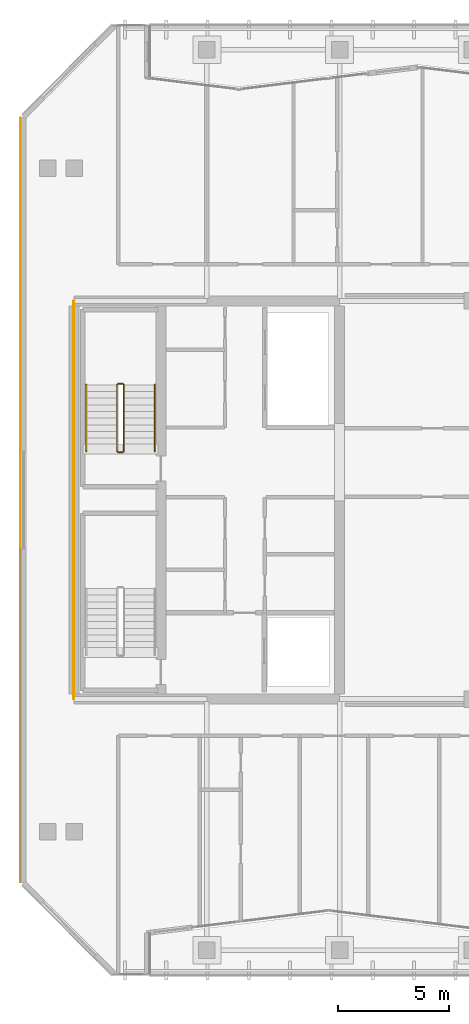
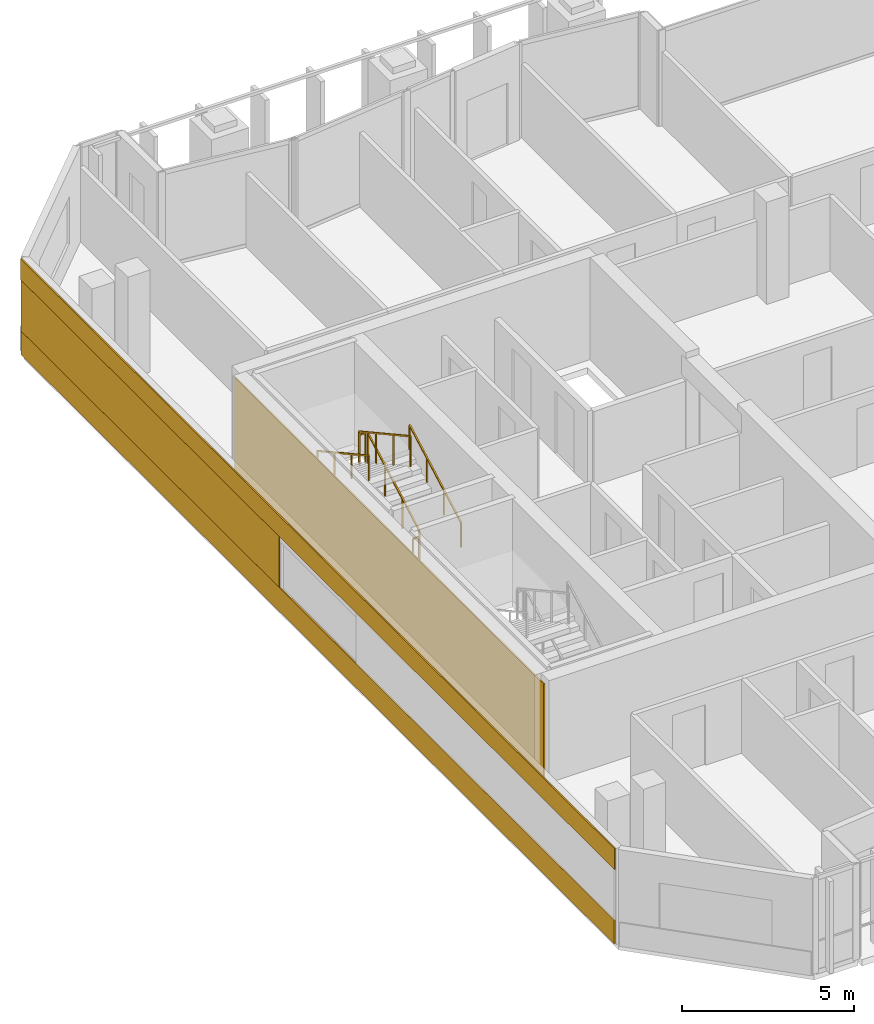
# One storey, part 28 of 31: 6 railings, 4 coverings.
"""IFC4 building model written with IfcOpenShell, lengths in metres."""

from ifc_helpers import new_model, si_unit, direction, frame, origin, origin_2d, place, context, subcontext, project, spatial, rectangle, extrude, material, layer, layer_set, type_object, element, save


model = new_model("IFC4")

# Units and contexts
model_context = context("Model", 3, precision=1e-05, world=origin(), true_north=direction((0.0, 1.0)))
body_context = subcontext(model_context, "Body", "Model", "MODEL_VIEW")
ifc_project = project(units=[si_unit("LENGTHUNIT", "METRE"), si_unit("AREAUNIT", "SQUARE_METRE"), si_unit("VOLUMEUNIT", "CUBIC_METRE"), si_unit("PLANEANGLEUNIT", "RADIAN"), si_unit("MASSUNIT", "GRAM", prefix="KILO")], contexts=[model_context])

# Site, building, storey
site_placement = place(None, origin())
site = spatial("IfcSite", under=ifc_project, at=site_placement, CompositionType="ELEMENT")
building_placement = place(site_placement, origin())
building = spatial("IfcBuilding", under=site, at=building_placement, Name="Tanjung Sevakor Pilgrim Tower", CompositionType="ELEMENT")
storey_placement = place(building_placement, frame((0.0, 0.0, 208.22998046875)))
storey = spatial("IfcBuildingStorey", under=building, at=storey_placement, Name="L58", CompositionType="ELEMENT", Elevation=208.22998046875)

# Coverings
ifc_material_1 = material(Name="Reconstructed Limestone Cladding", Category="masonry")
ifc_layer = layer(ifc_material_1, 0.044921875)
ifc_layer_set = layer_set([ifc_layer], Name="COV-CLAD-LIMESTONE")
covering_type = type_object("IfcCoveringType", Name="COV-CLAD-LIMESTONE", PredefinedType="CLADDING", material=ifc_layer_set)
covering_1_placement = place(storey_placement, frame((21.577392578125, 33.60009765625, 0.009765625), z_axis=(0.0, 0.0, 1.0), x_axis=(0.0, -1.0, 0.0)))
element("IfcCovering", 1, at=covering_1_placement, inside=storey, type_object=covering_type, Name="L58 Warm Limestone Sill Spandrel EW-L58-MAIN-35-1", PredefinedType="CLADDING", context=body_context, shape_type="SweptSolid", body=[
    extrude(rectangle(XDim=34.52880859375, YDim=0.044921875, at=origin_2d()), origin(), (0.0, 0.0, 1.0), 0.840087890625),
])
covering_2_placement = place(storey_placement, frame((21.577392578125, 33.60009765625, 2.66015625), z_axis=(0.0, 0.0, 1.0), x_axis=(0.0, -1.0, 0.0)))
element("IfcCovering", 2, at=covering_2_placement, inside=storey, type_object=covering_type, Name="L58 Warm Limestone Cornice Spandrel EW-L58-MAIN-35", PredefinedType="CLADDING", context=body_context, shape_type="SweptSolid", body=[
    extrude(rectangle(XDim=34.56884765625, YDim=0.044921875, at=origin_2d()), origin(), (0.0, 0.0, 1.0), 0.739990234375),
])
covering_3_placement = place(storey_placement, frame((21.577392578125, 43.357177734375, 0.85009765625), z_axis=(0.0, 0.0, 1.0), x_axis=(0.0, -1.0, 0.0)))
element("IfcCovering", 3, at=covering_3_placement, inside=storey, type_object=covering_type, Name="L58 Warm Limestone Pier Panel EW-L58-MAIN-35-1", PredefinedType="CLADDING", context=body_context, shape_type="SweptSolid", body=[
    extrude(rectangle(XDim=15.014404296875, YDim=0.044921875, at=origin_2d()), origin(), (0.0, 0.0, 1.0), 1.81005859375),
])
covering_4_placement = place(storey_placement, frame((23.9775390625, 33.60009765625, 0.02001953125), z_axis=(0.0, 0.0, 1.0), x_axis=(1.0, 0.0, 0.0)))
element("IfcCovering", 4, at=covering_4_placement, inside=storey, type_object=covering_type, Name="L58 Expressed Core Warm Limestone Cladding W", PredefinedType="CLADDING", context=body_context, shape_type="SweptSolid", body=[
    extrude(rectangle(XDim=0.044921875, YDim=18.0, at=origin_2d()), origin(), (0.0, 0.0, 1.0), 3.3701171875),
])

# Railings
ifc_material_2 = material(Name="Steel S355J2", Category="steel")
railing_type_1 = type_object("IfcRailingType", Name="RL-STAIR-GUARD", PredefinedType="GUARDRAIL", material=ifc_material_2)
railing_1_placement = place(storey_placement, frame((26.25, 35.800048828125, 0.1650390625)))
element("IfcRailing", 5, at=railing_1_placement, inside=storey, type_object=railing_type_1, Name="L58 TS-W2 stair guard 1", PredefinedType="GUARDRAIL", context=body_context, shape_type="SweptSolid", body=[
    extrude(rectangle(XDim=0.0479, YDim=0.0479), frame((0.0, 0.0, 1.076171875), z_axis=(0.0, 0.876227952683, 0.48189685093), x_axis=(-1.0, 0.0, 0.0)), (0.0, 0.0, 1.0), 3.423828125),
    extrude(rectangle(XDim=0.042, YDim=0.042), origin(), (0.0, 0.0, 1.0), 1.052001953125),
    extrude(rectangle(XDim=0.042, YDim=0.042), frame((0.0, 1.0, 0.550048828125)), (0.0, 0.0, 1.0), 1.052001953125),
    extrude(rectangle(XDim=0.042, YDim=0.042), frame((0.0, 2.0, 1.099853515625)), (0.0, 0.0, 1.0), 1.052001953125),
    extrude(rectangle(XDim=0.042, YDim=0.042), frame((0.0, 3.0, 1.64990234375)), (0.0, 0.0, 1.0), 1.052001953125),
])
railing_2_placement = place(storey_placement, frame((26.199951171875, 38.85009765625, 1.81494140625)))
element("IfcRailing", 6, at=railing_2_placement, inside=storey, type_object=railing_type_1, Name="L58 TS-W2 stair guard 2", PredefinedType="GUARDRAIL", context=body_context, shape_type="SweptSolid", body=[
    extrude(rectangle(XDim=0.0479, YDim=0.0479), frame((0.0, 0.0, 1.076171875), z_axis=(-1.0, 0.0, 0.0), x_axis=(0.0, -1.0, 0.0)), (0.0, 0.0, 1.0), 0.199951171875),
    extrude(rectangle(XDim=0.042, YDim=0.042), origin(), (0.0, 0.0, 1.0), 1.052001953125),
    extrude(rectangle(XDim=0.042, YDim=0.042), frame((-0.199951171875, 0.0, 0.0)), (0.0, 0.0, 1.0), 1.052001953125),
])
railing_3_placement = place(storey_placement, frame((25.949951171875, 38.800048828125, 1.97998046875)))
element("IfcRailing", 7, at=railing_3_placement, inside=storey, type_object=railing_type_1, Name="L58 TS-W2 stair guard 3", PredefinedType="GUARDRAIL", context=body_context, shape_type="SweptSolid", body=[
    extrude(rectangle(XDim=0.0479, YDim=0.0479), frame((0.0, 0.0, 1.076171875), z_axis=(0.0, -0.876197842262, 0.481951596342), x_axis=(1.0, 0.0, 0.0)), (0.0, 0.0, 1.0), 3.423828125),
    extrude(rectangle(XDim=0.042, YDim=0.042), origin(), (0.0, 0.0, 1.0), 1.052001953125),
    extrude(rectangle(XDim=0.042, YDim=0.042), frame((0.0, -1.0, 0.550048828125)), (0.0, 0.0, 1.0), 1.052001953125),
    extrude(rectangle(XDim=0.042, YDim=0.042), frame((0.0, -2.0, 1.10009765625)), (0.0, 0.0, 1.0), 1.052001953125),
    extrude(rectangle(XDim=0.042, YDim=0.042), frame((0.0, -3.0, 1.650146484375)), (0.0, 0.0, 1.0), 1.052001953125),
])
railing_4_placement = place(storey_placement, frame((26.199951171875, 35.75, 0.0)))
element("IfcRailing", 8, at=railing_4_placement, inside=storey, type_object=railing_type_1, Name="L58 TS-W2 stair guard 4", PredefinedType="GUARDRAIL", context=body_context, shape_type="SweptSolid", body=[
    extrude(rectangle(XDim=0.0479, YDim=0.0479), frame((0.0, 0.0, 1.076171875), z_axis=(-1.0, 0.0, 0.0), x_axis=(0.0, -1.0, 0.0)), (0.0, 0.0, 1.0), 0.199951171875),
    extrude(rectangle(XDim=0.042, YDim=0.042), origin(), (0.0, 0.0, 1.0), 1.052001953125),
    extrude(rectangle(XDim=0.042, YDim=0.042), frame((-0.199951171875, 0.0, 0.0)), (0.0, 0.0, 1.0), 1.052001953125),
])
ifc_material_3 = material(Name="Steel S355J2", Category="steel")
railing_type_2 = type_object("IfcRailingType", Name="RL-STAIR-HAND", PredefinedType="HANDRAIL", material=ifc_material_3)
railing_5_placement = place(storey_placement, frame((27.64990234375, 35.800048828125, 0.1650390625)))
element("IfcRailing", 9, at=railing_5_placement, inside=storey, type_object=railing_type_2, Name="L58 TS-W2 stair handrail 1", PredefinedType="HANDRAIL", context=body_context, shape_type="SweptSolid", body=[
    extrude(rectangle(XDim=0.0479, YDim=0.0479), frame((0.0, 0.0, 0.8759765625), z_axis=(0.0, 0.876227952683, 0.48189685093), x_axis=(-1.0, 0.0, 0.0)), (0.0, 0.0, 1.0), 3.423828125),
    extrude(rectangle(XDim=0.042, YDim=0.042), origin(), (0.0, 0.0, 1.0), 0.851806640625),
    extrude(rectangle(XDim=0.042, YDim=0.042), frame((0.0, 1.0, 0.550048828125)), (0.0, 0.0, 1.0), 0.851806640625),
    extrude(rectangle(XDim=0.042, YDim=0.042), frame((0.0, 2.0, 1.099853515625)), (0.0, 0.0, 1.0), 0.851806640625),
    extrude(rectangle(XDim=0.042, YDim=0.042), frame((0.0, 3.0, 1.64990234375)), (0.0, 0.0, 1.0), 0.851806640625),
])
railing_6_placement = place(storey_placement, frame((24.550048828125, 38.800048828125, 1.97998046875)))
element("IfcRailing", 10, at=railing_6_placement, inside=storey, type_object=railing_type_2, Name="L58 TS-W2 stair handrail 2", PredefinedType="HANDRAIL", context=body_context, shape_type="SweptSolid", body=[
    extrude(rectangle(XDim=0.0479, YDim=0.0479), frame((0.0, 0.0, 0.8759765625), z_axis=(0.0, -0.876197842262, 0.481951596342), x_axis=(1.0, 0.0, 0.0)), (0.0, 0.0, 1.0), 3.423828125),
    extrude(rectangle(XDim=0.042, YDim=0.042), origin(), (0.0, 0.0, 1.0), 0.851806640625),
    extrude(rectangle(XDim=0.042, YDim=0.042), frame((0.0, -1.0, 0.550048828125)), (0.0, 0.0, 1.0), 0.851806640625),
    extrude(rectangle(XDim=0.042, YDim=0.042), frame((0.0, -2.0, 1.10009765625)), (0.0, 0.0, 1.0), 0.851806640625),
    extrude(rectangle(XDim=0.042, YDim=0.042), frame((0.0, -3.0, 1.650146484375)), (0.0, 0.0, 1.0), 0.851806640625),
])

save(model, "model.ifc")
